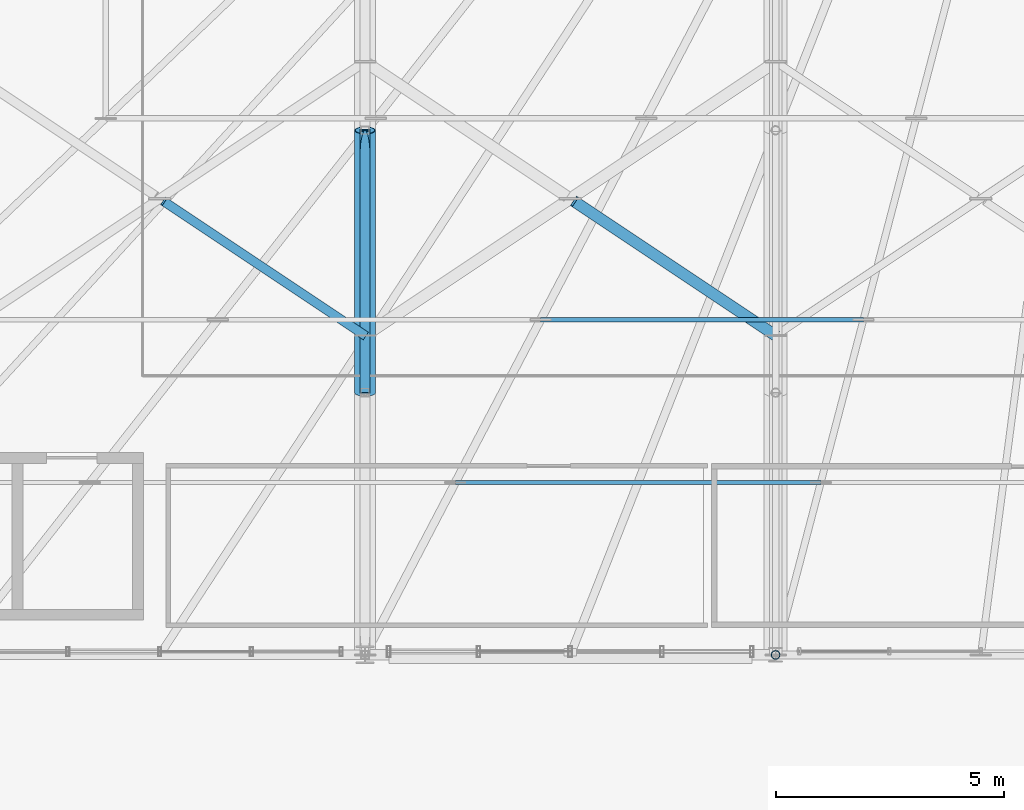
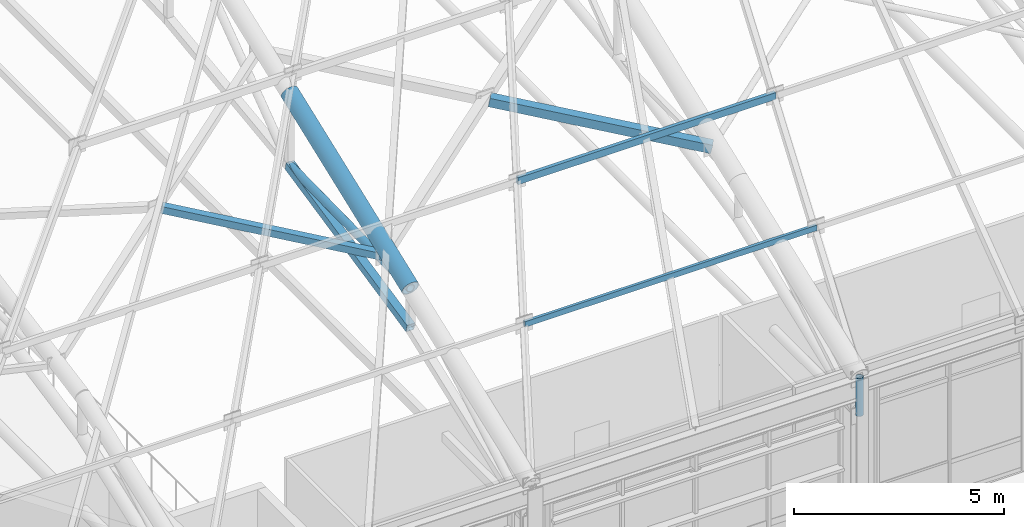
# One storey, part 21 of 168: 7 members, 1 beam.
"""IFC4 building model written with IfcOpenShell, lengths in metres."""

from ifc_helpers import new_model, si_unit, direction, frame, origin, origin_2d, place, context, subcontext, project, spatial, hollow_rectangle, hollow_circle, extrude, material, material_profile, profile_set, type_object, element, save


model = new_model("IFC4")

# Units and contexts
model_context = context("Model", 3, precision=1e-05, world=origin(), true_north=direction((0.0, 1.0)))
body_context = subcontext(model_context, "Body", "Model", "MODEL_VIEW")
ifc_project = project(units=[si_unit("LENGTHUNIT", "METRE"), si_unit("AREAUNIT", "SQUARE_METRE"), si_unit("VOLUMEUNIT", "CUBIC_METRE"), si_unit("PLANEANGLEUNIT", "RADIAN"), si_unit("MASSUNIT", "GRAM", prefix="KILO"), si_unit("THERMODYNAMICTEMPERATUREUNIT", "KELVIN"), si_unit("POWERUNIT", "WATT")], contexts=[model_context])

# Site, building, storey
site_placement = place(None, origin())
site = spatial("IfcSite", under=ifc_project, at=site_placement, CompositionType="ELEMENT")
building_placement = place(site_placement, origin())
building = spatial("IfcBuilding", under=site, at=building_placement, Name="Tepalcoro Natatorium and Aquatics Centre", CompositionType="ELEMENT")
storey_placement = place(building_placement, frame((0.0, 0.0, 10.199951171875)))
storey = spatial("IfcBuildingStorey", under=building, at=storey_placement, Name="L02", CompositionType="ELEMENT", Elevation=10.199951171875)

# Beam
ifc_material_1 = material(Name="Terracotta Painted Hollow Steel ASTM A500 Grade C (Fy 345 MPa)", Category="masonry")
ifc_material_profile_1 = material_profile(ifc_material_1, hollow_circle(Radius=0.228515625, WallThickness=0.02001953125, at=origin_2d()), Name="CHS457X20")
ifc_profile_set_1 = profile_set([ifc_material_profile_1], Name="Terracotta Painted Hollow Steel ASTM A500 Grade C (Fy 345 MPa)")
beam_type = type_object("IfcBeamType", Name="AC_CHS457x20", PredefinedType="USERDEFINED", material=ifc_profile_set_1)
beam_placement = place(storey_placement, frame((71.0, 18.75, 6.567626953125), z_axis=(0.0, 0.93419963938, 0.356750660521), x_axis=(-1.0, 0.0, 0.0)))
element("IfcBeam", 1, at=beam_placement, inside=storey, type_object=beam_type, Name="V1 Arched Truss Top Chord 3", ObjectType="ARCH CHORD", PredefinedType="USERDEFINED", context=body_context, shape_type="SweptSolid", body=[
    extrude(hollow_circle(Radius=0.228515625, WallThickness=0.02001953125, at=origin_2d()), origin(), (0.0, 0.0, 1.0), 6.155029296875),
])

# Members
ifc_material_2 = material(Name="Hollow Steel ASTM A500 Grade C (Fy 345 MPa)", Category="steel")
ifc_material_profile_2 = material_profile(ifc_material_2, hollow_rectangle(XDim=0.199951171875, YDim=0.199951171875, WallThickness=0.011962890625, at=origin_2d()), Name="HSS200X200X12")
ifc_profile_set_2 = profile_set([ifc_material_profile_2], Name="Hollow Steel ASTM A500 Grade C (Fy 345 MPa)")
member_type_1 = type_object("IfcMemberType", Name="MB_BR_HSS200x200x12", PredefinedType="BRACE", material=ifc_profile_set_2)
member_1_placement = place(storey_placement, frame((71.0, 20.0, 6.768310546875), z_axis=(-0.813440664079, 0.542308791386, 0.210274726986), x_axis=(-0.554710829139, -0.832043205631, 0.0)))
element("IfcMember", 2, at=member_1_placement, inside=storey, type_object=member_type_1, Name="V1 Pyramid Roof Split Wind Brace", PredefinedType="BRACE", context=body_context, shape_type="SweptSolid", body=[
    extrude(hollow_rectangle(XDim=0.199951171875, YDim=0.199951171875, WallThickness=0.011962890625, at=origin_2d()), origin(), (0.0, 0.0, 1.0), 5.419921875),
])
ifc_material_profile_3 = material_profile(ifc_material_2, hollow_rectangle(XDim=0.25, YDim=0.25, WallThickness=0.013916015625, at=origin_2d()), Name="HSS250X250X14")
ifc_profile_set_3 = profile_set([ifc_material_profile_3], Name="Hollow Steel ASTM A500 Grade C (Fy 345 MPa)")
member_type_2 = type_object("IfcMemberType", Name="MB_BR_HSS250x250x14", PredefinedType="BRACE", material=ifc_profile_set_3)
member_2_placement = place(storey_placement, frame((80.0, 20.0, 6.768310546875), z_axis=(-0.813988111584, 0.54264372144, 0.20727070652), x_axis=(-0.55468956716, -0.832057380283, 0.0)))
element("IfcMember", 3, at=member_2_placement, inside=storey, type_object=member_type_2, Name="V1 Pyramid Roof Split Wind Brace", PredefinedType="BRACE", context=body_context, shape_type="SweptSolid", body=[
    extrude(hollow_rectangle(XDim=0.25, YDim=0.25, WallThickness=0.013916015625, at=origin_2d()), origin(), (0.0, 0.0, 1.0), 5.418212890625),
])
ifc_material_profile_4 = material_profile(ifc_material_1, hollow_rectangle(XDim=0.219970703125, YDim=0.219970703125, WallThickness=0.011962890625, at=origin_2d()), Name="HSS220X220X12")
ifc_profile_set_4 = profile_set([ifc_material_profile_4], Name="Terracotta Painted Hollow Steel ASTM A500 Grade C (Fy 345 MPa)")
member_type_3 = type_object("IfcMemberType", Name="MB_CH_HSS220x220x12", PredefinedType="CHORD", material=ifc_profile_set_4)
member_3_placement = place(storey_placement, frame((71.0, 18.75, 5.42822265625), z_axis=(0.0, 0.977724584974, 0.209891962535), x_axis=(-1.0, 0.0, 0.0)))
element("IfcMember", 4, at=member_3_placement, inside=storey, type_object=member_type_3, Name="V1 Arched Truss Bottom Chord 3", PredefinedType="CHORD", context=body_context, shape_type="SweptSolid", body=[
    extrude(hollow_rectangle(XDim=0.219970703125, YDim=0.219970703125, WallThickness=0.011962890625, at=origin_2d()), origin(), (0.0, 0.0, 1.0), 5.881103515625),
])
ifc_material_profile_5 = material_profile(ifc_material_2, hollow_rectangle(XDim=0.080078125, YDim=0.159912109375, WallThickness=0.008056640625, at=origin_2d()), Name="HSS160X80X8")
ifc_profile_set_5 = profile_set([ifc_material_profile_5], Name="Hollow Steel ASTM A500 Grade C (Fy 345 MPa)")
member_type_4 = type_object("IfcMemberType", Name="MB_PR_HSS160x80x8", PredefinedType="PURLIN", material=ifc_profile_set_5)
member_4_placement = place(storey_placement, frame((72.97998046875, 16.780029296875, 6.03662109375), z_axis=(1.0, 0.0, 0.0), x_axis=(0.0, 1.0, 0.0)))
element("IfcMember", 5, at=member_4_placement, inside=storey, type_object=member_type_4, Name="Pyramid Horizontal Purlin South", PredefinedType="PURLIN", context=body_context, shape_type="SweptSolid", body=[
    extrude(hollow_rectangle(XDim=0.080078125, YDim=0.159912109375, WallThickness=0.008056640625, at=origin_2d()), origin(), (0.0, 0.0, 1.0), 8.010009765625),
])
ifc_material_profile_6 = material_profile(ifc_material_2, hollow_rectangle(XDim=0.10009765625, YDim=0.199951171875, WallThickness=0.008056640625, at=origin_2d()), Name="HSS200X100X8")
ifc_profile_set_6 = profile_set([ifc_material_profile_6], Name="Hollow Steel ASTM A500 Grade C (Fy 345 MPa)")
member_type_5 = type_object("IfcMemberType", Name="MB_PR_HSS200x100x8", PredefinedType="PURLIN", material=ifc_profile_set_6)
member_5_placement = place(storey_placement, frame((74.85009765625, 20.35009765625, 7.380126953125), z_axis=(1.0, 0.0, 0.0), x_axis=(0.0, 1.0, 0.0)))
element("IfcMember", 6, at=member_5_placement, inside=storey, type_object=member_type_5, Name="Pyramid Horizontal Purlin South", PredefinedType="PURLIN", context=body_context, shape_type="SweptSolid", body=[
    extrude(hollow_rectangle(XDim=0.10009765625, YDim=0.199951171875, WallThickness=0.008056640625, at=origin_2d()), origin(), (0.0, 0.0, 1.0), 7.074951171875),
])
ifc_material_profile_7 = material_profile(ifc_material_1, hollow_circle(Radius=0.096923828125, WallThickness=0.010009765625, at=origin_2d()), Name="CHS194X10")
ifc_profile_set_7 = profile_set([ifc_material_profile_7], Name="Terracotta Painted Hollow Steel ASTM A500 Grade C (Fy 345 MPa)")
member_type_6 = type_object("IfcMemberType", Name="MB_PS_CHS194x10", PredefinedType="POST", material=ifc_profile_set_7)
member_6_placement = place(storey_placement, frame((80.0, 13.0, 3.24609375), z_axis=(0.0, 0.0, 1.0), x_axis=(1.0, 0.0, 0.0)))
element("IfcMember", 7, at=member_6_placement, inside=storey, type_object=member_type_6, Name="V1 Arched Truss Vertical Post 4", PredefinedType="POST", context=body_context, shape_type="SweptSolid", body=[
    extrude(hollow_circle(Radius=0.096923828125, WallThickness=0.010009765625, at=origin_2d()), origin(), (0.0, 0.0, 1.0), 1.099853515625),
])
ifc_material_profile_8 = material_profile(ifc_material_1, hollow_circle(Radius=0.109619140625, WallThickness=0.013916015625, at=origin_2d()), Name="CHS219X14")
ifc_profile_set_8 = profile_set([ifc_material_profile_8], Name="Terracotta Painted Hollow Steel ASTM A500 Grade C (Fy 345 MPa)")
member_type_7 = type_object("IfcMemberType", Name="MB_ST_CHS219x14", PredefinedType="STRUT", material=ifc_profile_set_8)
member_7_placement = place(storey_placement, frame((71.0, 18.75, 6.567626953125), z_axis=(0.0, 0.999863628136, 0.016514391616), x_axis=(-1.0, 0.0, 0.0)))
element("IfcMember", 8, at=member_7_placement, inside=storey, type_object=member_type_7, Name="V1 Arched Truss Web Diagonal 3", PredefinedType="STRUT", context=body_context, shape_type="SweptSolid", body=[
    extrude(hollow_circle(Radius=0.109619140625, WallThickness=0.013916015625, at=origin_2d()), origin(), (0.0, 0.0, 1.0), 5.750732421875),
])

save(model, "model.ifc")
